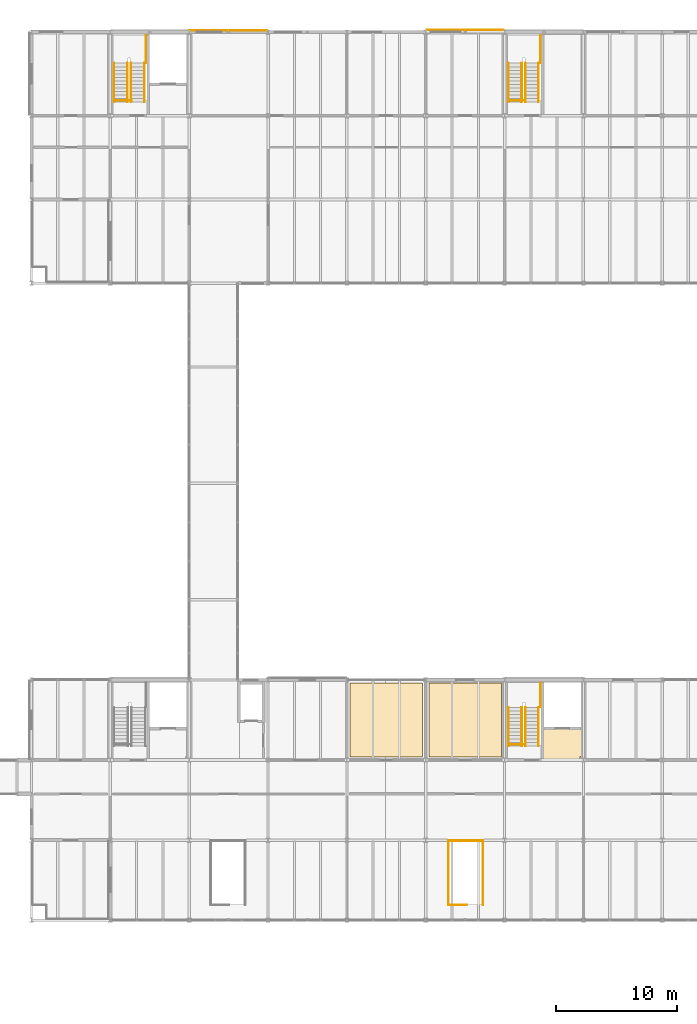
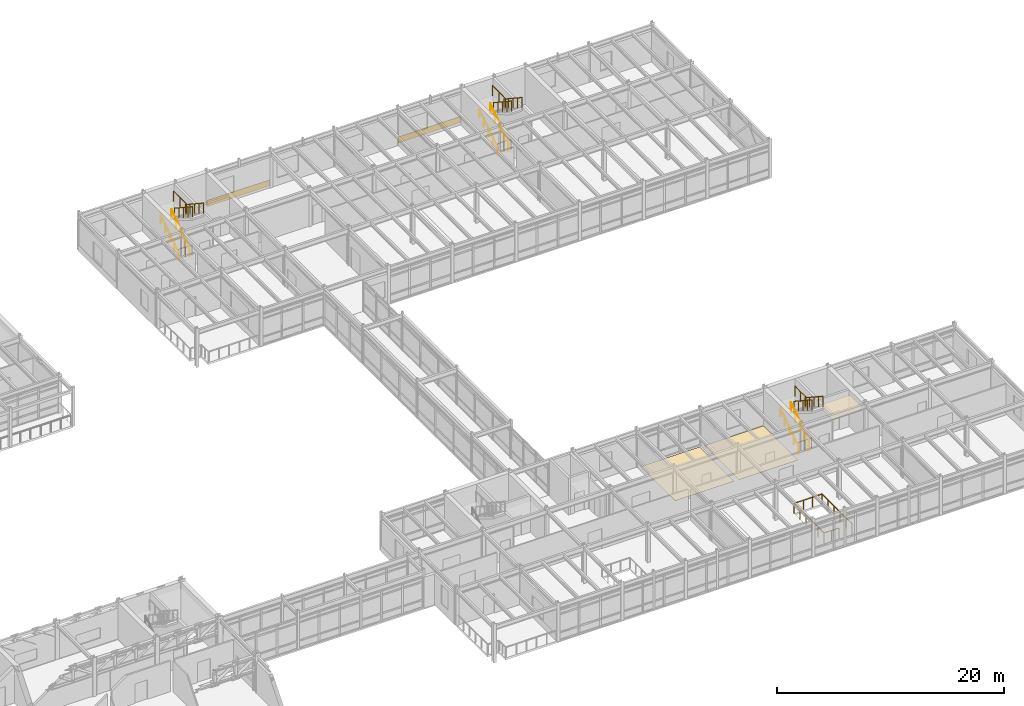
# One storey, part 144 of 144: 22 railings, 5 coverings.
"""IFC4 building model written with IfcOpenShell, lengths in metres."""

from ifc_helpers import new_model, si_unit, direction, frame, origin, origin_2d, place, context, subcontext, project, spatial, polyline, rectangle, circle, outline, extrude, material, layer, layer_set, type_object, element, save


model = new_model("IFC4")

# Units and contexts
model_context = context("Model", 3, precision=1e-05, world=origin(), true_north=direction((0.0, 1.0)))
body_context = subcontext(model_context, "Body", "Model", "MODEL_VIEW")
ifc_project = project(units=[si_unit("LENGTHUNIT", "METRE"), si_unit("AREAUNIT", "SQUARE_METRE"), si_unit("VOLUMEUNIT", "CUBIC_METRE"), si_unit("PLANEANGLEUNIT", "RADIAN"), si_unit("MASSUNIT", "GRAM", prefix="KILO")], contexts=[model_context])

# Site, building, storey
site_placement = place(None, origin())
site = spatial("IfcSite", under=ifc_project, at=site_placement, CompositionType="ELEMENT")
building_placement = place(site_placement, origin())
building = spatial("IfcBuilding", under=site, at=building_placement, Name="Trelmorton Wharf Fire Station", CompositionType="ELEMENT")
storey_placement = place(building_placement, frame((0.0, 0.0, 5.39990234375)))
storey = spatial("IfcBuildingStorey", under=building, at=storey_placement, Name="L01", CompositionType="ELEMENT", Elevation=5.39990234375)

# Coverings
ifc_material_1 = material(Name="Mineral fibre acoustic ceiling")
ifc_layer_1 = layer(ifc_material_1, 0.02001953125)
ifc_layer_set_1 = layer_set([ifc_layer_1], Name="Mineral fibre acoustic ceiling")
covering_type_1 = type_object("IfcCoveringType", Name="CV_CEIL_ACOU", PredefinedType="CEILING", material=ifc_layer_set_1)
covering_1_placement = place(storey_placement, frame((0.0, 0.0, 3.280029296875)))
element("IfcCovering", 1, at=covering_1_placement, inside=storey, type_object=covering_type_1, Name="CV-CLG-024", PredefinedType="CEILING", context=body_context, shape_type="SweptSolid", body=[
    extrude(outline(polyline([(146.159912109375, 21.0400390625), (146.159912109375, 23.56005859375), (149.4599609375, 23.56005859375), (149.4599609375, 21.300048828125), (149.199951171875, 21.300048828125), (149.199951171875, 21.0400390625), (146.159912109375, 21.0400390625)])), origin(), (0.0, 0.0, 1.0), 0.02001953125),
])
ifc_material_2 = material(Name="Architectural terracotta cladding", Category="masonry")
ifc_layer_2 = layer(ifc_material_2, 0.044921875)
ifc_layer_set_2 = layer_set([ifc_layer_2], Name="Architectural terracotta cladding")
covering_type_2 = type_object("IfcCoveringType", Name="CV_CLAD_TER", PredefinedType="CLADDING", material=ifc_layer_set_2)
for number, where, z_axis, x_axis, name in (
    (2, (120.25, 81.135009765625, 0.0302734375), (0.0, 0.0, 1.0), (1.0, 0.0, 0.0), "CV-TER-0039"),
    (3, (139.75, 81.1650390625, 0.0302734375), (0.0, 0.0, 1.0), (1.0, 0.0, 0.0), "CV-TER-0040"),
):
    element("IfcCovering", number, at=place(storey_placement, frame(where, z_axis=z_axis, x_axis=x_axis)), inside=storey, type_object=covering_type_2, Name=name, PredefinedType="CLADDING", context=body_context, shape_type="SweptSolid", body=[
        extrude(rectangle(XDim=6.3701171875, YDim=0.044921875, at=origin_2d()), origin(), (0.0, 0.0, 1.0), 0.659912109375),
    ])
ifc_material_3 = material(Name="Quarry tile wet-area flooring")
ifc_layer_3 = layer(ifc_material_3, 0.02001953125)
ifc_layer_set_3 = layer_set([ifc_layer_3], Name="Quarry tile wet-area flooring")
covering_type_3 = type_object("IfcCoveringType", Name="CV_FLOR_TILE", PredefinedType="FLOORING", material=ifc_layer_set_3)
covering_2_placement = place(storey_placement, origin())
element("IfcCovering", 4, at=covering_2_placement, inside=storey, type_object=covering_type_3, Name="CV-FLR-010", PredefinedType="FLOORING", context=body_context, shape_type="SweptSolid", body=[
    extrude(outline(polyline([(136.25, 21.25), (136.25, 27.35009765625), (130.25, 27.35009765625), (130.25, 21.25), (136.25, 21.25)])), origin(), (0.0, 0.0, 1.0), 0.02001953125),
])
covering_3_placement = place(storey_placement, origin())
element("IfcCovering", 5, at=covering_3_placement, inside=storey, type_object=covering_type_3, Name="CV-FLR-011", PredefinedType="FLOORING", context=body_context, shape_type="SweptSolid", body=[
    extrude(outline(polyline([(142.75, 21.25), (142.75, 27.35009765625), (136.75, 27.35009765625), (136.75, 21.25), (142.75, 21.25)])), origin(), (0.0, 0.0, 1.0), 0.02001953125),
])

# Railings
ifc_material_4 = material(Name="Stainless steel 316 marine grade", Category="steel")
railing_type_1 = type_object("IfcRailingType", Name="RL_HAND_900", PredefinedType="HANDRAIL", material=ifc_material_4)
railing_1_placement = place(storey_placement, frame((143.31005859375, 22.139892578125, 0.0)))
element("IfcRailing", 6, at=railing_1_placement, inside=storey, type_object=railing_type_1, Name="RL-HR1-STR-C4-L01-14", PredefinedType="HANDRAIL", context=body_context, shape_type="SweptSolid", body=[
    extrude(circle(Radius=0.02099609375, at=origin_2d()), frame((0.0, 0.0, 0.87890625), z_axis=(0.0, 0.835261802243, 0.549852454495), x_axis=(-1.0, 0.0, 0.0)), (0.0, 0.0, 1.0), 3.8193359375),
    extrude(circle(Radius=0.02099609375, at=origin_2d()), origin(), (0.0, 0.0, 1.0), 0.85791015625),
    extrude(circle(Radius=0.02099609375, at=origin_2d()), frame((0.0, 0.797607421875, 0.52490234375)), (0.0, 0.0, 1.0), 0.85791015625),
    extrude(circle(Radius=0.02099609375, at=origin_2d()), frame((0.0, 1.59521484375, 1.050048828125)), (0.0, 0.0, 1.0), 0.85791015625),
    extrude(circle(Radius=0.02099609375, at=origin_2d()), frame((0.0, 2.392578125, 1.5751953125)), (0.0, 0.0, 1.0), 0.85791015625),
    extrude(circle(Radius=0.02099609375, at=origin_2d()), frame((0.0, 3.190185546875, 2.10009765625)), (0.0, 0.0, 1.0), 0.85791015625),
])
for number, where, name in (
    (7, (110.81005859375, 75.239990234375, 0.0), "RL-HR1-STR-C7-L01-34"),
    (8, (143.31005859375, 75.239990234375, 0.0), "RL-HR1-STR-C8-L01-38"),
):
    element("IfcRailing", number, at=place(storey_placement, frame(where)), inside=storey, type_object=railing_type_1, Name=name, PredefinedType="HANDRAIL", context=body_context, shape_type="SweptSolid", body=[
        extrude(circle(Radius=0.02099609375, at=origin_2d()), frame((0.0, 0.0, 0.87890625), z_axis=(0.0, 0.835242474824, 0.549881812983), x_axis=(-1.0, 0.0, 0.0)), (0.0, 0.0, 1.0), 3.819091796875),
        extrude(circle(Radius=0.02099609375, at=origin_2d()), origin(), (0.0, 0.0, 1.0), 0.85791015625),
        extrude(circle(Radius=0.02099609375, at=origin_2d()), frame((0.0, 0.79736328125, 0.52490234375)), (0.0, 0.0, 1.0), 0.85791015625),
        extrude(circle(Radius=0.02099609375, at=origin_2d()), frame((0.0, 1.594970703125, 1.050048828125)), (0.0, 0.0, 1.0), 0.85791015625),
        extrude(circle(Radius=0.02099609375, at=origin_2d()), frame((0.0, 2.392578125, 1.5751953125)), (0.0, 0.0, 1.0), 0.85791015625),
        extrude(circle(Radius=0.02099609375, at=origin_2d()), frame((0.0, 3.18994140625, 2.10009765625)), (0.0, 0.0, 1.0), 0.85791015625),
    ])
railing_type_2 = type_object("IfcRailingType", Name="RL_WELL_1100", PredefinedType="BALUSTRADE", material=ifc_material_4)
railing_2_placement = place(storey_placement, frame((143.360107421875, 22.260009765625, 0.0)))
element("IfcRailing", 9, at=railing_2_placement, inside=storey, type_object=railing_type_2, Name="RL-UPWELL-STR-C4-L00-13", PredefinedType="BALUSTRADE", context=body_context, shape_type="SweptSolid", body=[
    extrude(circle(Radius=0.02392578125, at=origin_2d()), frame((0.0, 0.0, 1.09619140625), z_axis=(1.0, 0.0, 0.0), x_axis=(0.0, 1.0, 0.0)), (0.0, 0.0, 1.0), 1.3798828125),
    extrude(circle(Radius=0.02099609375, at=origin_2d()), origin(), (0.0, 0.0, 1.0), 1.072021484375),
    extrude(circle(Radius=0.02099609375, at=origin_2d()), frame((0.68994140625, 0.0, 0.0)), (0.0, 0.0, 1.0), 1.072021484375),
    extrude(circle(Radius=0.02099609375, at=origin_2d()), frame((1.3798828125, 0.0, 0.0)), (0.0, 0.0, 1.0), 1.072021484375),
])
railing_3_placement = place(storey_placement, frame((145.955078125, 27.3349609375, 2.10009765625)))
element("IfcRailing", 10, at=railing_3_placement, inside=storey, type_object=railing_type_2, Name="RL-GW-OUT1-STR-C4-L01-14", PredefinedType="BALUSTRADE", context=body_context, shape_type="SweptSolid", body=[
    extrude(circle(Radius=0.02392578125, at=origin_2d()), frame((0.0, 0.0, 1.09619140625), z_axis=(0.0, -1.0, 0.0), x_axis=(1.0, 0.0, 0.0)), (0.0, 0.0, 1.0), 1.96484375),
    extrude(circle(Radius=0.02099609375, at=origin_2d()), origin(), (0.0, 0.0, 1.0), 1.072021484375),
    extrude(circle(Radius=0.02099609375, at=origin_2d()), frame((0.0, -0.982421875, 0.0)), (0.0, 0.0, 1.0), 1.072021484375),
    extrude(circle(Radius=0.02099609375, at=origin_2d()), frame((0.0, -1.96484375, 0.0)), (0.0, 0.0, 1.0), 1.072021484375),
])
railing_4_placement = place(storey_placement, frame((145.81005859375, 25.330078125, 2.10009765625)))
element("IfcRailing", 11, at=railing_4_placement, inside=storey, type_object=railing_type_2, Name="RL-GW-OUT2-STR-C4-L01-14", PredefinedType="BALUSTRADE", context=body_context, shape_type="SweptSolid", body=[
    extrude(circle(Radius=0.02392578125, at=origin_2d()), frame((0.0, 0.0, 1.09619140625), z_axis=(0.0, -0.835261802243, 0.549852454495), x_axis=(1.0, 0.0, 0.0)), (0.0, 0.0, 1.0), 3.8193359375),
    extrude(circle(Radius=0.02099609375, at=origin_2d()), origin(), (0.0, 0.0, 1.0), 1.072021484375),
    extrude(circle(Radius=0.02099609375, at=origin_2d()), frame((0.0, -0.797607421875, 0.52490234375)), (0.0, 0.0, 1.0), 1.072021484375),
    extrude(circle(Radius=0.02099609375, at=origin_2d()), frame((0.0, -1.59521484375, 1.050048828125)), (0.0, 0.0, 1.0), 1.072021484375),
    extrude(circle(Radius=0.02099609375, at=origin_2d()), frame((0.0, -2.392578125, 1.5751953125)), (0.0, 0.0, 1.0), 1.072021484375),
    extrude(circle(Radius=0.02099609375, at=origin_2d()), frame((0.0, -3.190185546875, 2.10009765625)), (0.0, 0.0, 1.0), 1.072021484375),
])
railing_5_placement = place(storey_placement, frame((144.409912109375, 22.139892578125, 0.0)))
element("IfcRailing", 12, at=railing_5_placement, inside=storey, type_object=railing_type_2, Name="RL-GW-IN1-STR-C4-L01-14", PredefinedType="BALUSTRADE", context=body_context, shape_type="SweptSolid", body=[
    extrude(circle(Radius=0.02392578125, at=origin_2d()), frame((0.0, 0.0, 1.09619140625), z_axis=(0.0, 0.835261802243, 0.549852454495), x_axis=(-1.0, 0.0, 0.0)), (0.0, 0.0, 1.0), 3.8193359375),
    extrude(circle(Radius=0.02099609375, at=origin_2d()), origin(), (0.0, 0.0, 1.0), 1.072021484375),
    extrude(circle(Radius=0.02099609375, at=origin_2d()), frame((0.0, 0.797607421875, 0.52490234375)), (0.0, 0.0, 1.0), 1.072021484375),
    extrude(circle(Radius=0.02099609375, at=origin_2d()), frame((0.0, 1.59521484375, 1.050048828125)), (0.0, 0.0, 1.0), 1.072021484375),
    extrude(circle(Radius=0.02099609375, at=origin_2d()), frame((0.0, 2.392578125, 1.5751953125)), (0.0, 0.0, 1.0), 1.072021484375),
    extrude(circle(Radius=0.02099609375, at=origin_2d()), frame((0.0, 3.190185546875, 2.10009765625)), (0.0, 0.0, 1.0), 1.072021484375),
])
railing_6_placement = place(storey_placement, frame((144.7099609375, 25.330078125, 2.10009765625)))
element("IfcRailing", 13, at=railing_6_placement, inside=storey, type_object=railing_type_2, Name="RL-GW-IN2-STR-C4-L01-14", PredefinedType="BALUSTRADE", context=body_context, shape_type="SweptSolid", body=[
    extrude(circle(Radius=0.02392578125, at=origin_2d()), frame((0.0, 0.0, 1.09619140625), z_axis=(0.0, -0.835261802243, 0.549852454495), x_axis=(1.0, 0.0, 0.0)), (0.0, 0.0, 1.0), 3.8193359375),
    extrude(circle(Radius=0.02099609375, at=origin_2d()), origin(), (0.0, 0.0, 1.0), 1.072021484375),
    extrude(circle(Radius=0.02099609375, at=origin_2d()), frame((0.0, -0.797607421875, 0.52490234375)), (0.0, 0.0, 1.0), 1.072021484375),
    extrude(circle(Radius=0.02099609375, at=origin_2d()), frame((0.0, -1.59521484375, 1.050048828125)), (0.0, 0.0, 1.0), 1.072021484375),
    extrude(circle(Radius=0.02099609375, at=origin_2d()), frame((0.0, -2.392578125, 1.5751953125)), (0.0, 0.0, 1.0), 1.072021484375),
    extrude(circle(Radius=0.02099609375, at=origin_2d()), frame((0.0, -3.190185546875, 2.10009765625)), (0.0, 0.0, 1.0), 1.072021484375),
])
railing_7_placement = place(storey_placement, frame((110.860107421875, 75.360107421875, 0.0)))
element("IfcRailing", 14, at=railing_7_placement, inside=storey, type_object=railing_type_2, Name="RL-UPWELL-STR-C7-L00-33", PredefinedType="BALUSTRADE", context=body_context, shape_type="SweptSolid", body=[
    extrude(circle(Radius=0.02392578125, at=origin_2d()), frame((0.0, 0.0, 1.09619140625), z_axis=(1.0, 0.0, 0.0), x_axis=(0.0, 1.0, 0.0)), (0.0, 0.0, 1.0), 1.3798828125),
    extrude(circle(Radius=0.02099609375, at=origin_2d()), origin(), (0.0, 0.0, 1.0), 1.072021484375),
    extrude(circle(Radius=0.02099609375, at=origin_2d()), frame((0.68994140625, 0.0, 0.0)), (0.0, 0.0, 1.0), 1.072021484375),
    extrude(circle(Radius=0.02099609375, at=origin_2d()), frame((1.3798828125, 0.0, 0.0)), (0.0, 0.0, 1.0), 1.072021484375),
])
railing_8_placement = place(storey_placement, frame((113.455078125, 80.735107421875, 2.10009765625)))
element("IfcRailing", 15, at=railing_8_placement, inside=storey, type_object=railing_type_2, Name="RL-GW-OUT1-STR-C7-L01-34", PredefinedType="BALUSTRADE", context=body_context, shape_type="SweptSolid", body=[
    extrude(circle(Radius=0.02392578125, at=origin_2d()), frame((0.0, 0.0, 1.09619140625), z_axis=(0.0, -1.0, 0.0), x_axis=(1.0, 0.0, 0.0)), (0.0, 0.0, 1.0), 2.26513671875),
    extrude(circle(Radius=0.02099609375, at=origin_2d()), origin(), (0.0, 0.0, 1.0), 1.072021484375),
    extrude(circle(Radius=0.02099609375, at=origin_2d()), frame((0.0, -1.132568359375, 0.0)), (0.0, 0.0, 1.0), 1.072021484375),
    extrude(circle(Radius=0.02099609375, at=origin_2d()), frame((0.0, -2.26513671875, 0.0)), (0.0, 0.0, 1.0), 1.072021484375),
])
railing_9_placement = place(storey_placement, frame((113.31005859375, 78.429931640625, 2.10009765625)))
element("IfcRailing", 16, at=railing_9_placement, inside=storey, type_object=railing_type_2, Name="RL-GW-OUT2-STR-C7-L01-34", PredefinedType="BALUSTRADE", context=body_context, shape_type="SweptSolid", body=[
    extrude(circle(Radius=0.02392578125, at=origin_2d()), frame((0.0, 0.0, 1.09619140625), z_axis=(0.0, -0.835242474824, 0.549881812983), x_axis=(1.0, 0.0, 0.0)), (0.0, 0.0, 1.0), 3.819091796875),
    extrude(circle(Radius=0.02099609375, at=origin_2d()), origin(), (0.0, 0.0, 1.0), 1.072021484375),
    extrude(circle(Radius=0.02099609375, at=origin_2d()), frame((0.0, -0.79736328125, 0.52490234375)), (0.0, 0.0, 1.0), 1.072021484375),
    extrude(circle(Radius=0.02099609375, at=origin_2d()), frame((0.0, -1.594970703125, 1.050048828125)), (0.0, 0.0, 1.0), 1.072021484375),
    extrude(circle(Radius=0.02099609375, at=origin_2d()), frame((0.0, -2.392578125, 1.5751953125)), (0.0, 0.0, 1.0), 1.072021484375),
    extrude(circle(Radius=0.02099609375, at=origin_2d()), frame((0.0, -3.18994140625, 2.10009765625)), (0.0, 0.0, 1.0), 1.072021484375),
])
railing_10_placement = place(storey_placement, frame((111.909912109375, 75.239990234375, 0.0)))
element("IfcRailing", 17, at=railing_10_placement, inside=storey, type_object=railing_type_2, Name="RL-GW-IN1-STR-C7-L01-34", PredefinedType="BALUSTRADE", context=body_context, shape_type="SweptSolid", body=[
    extrude(circle(Radius=0.02392578125, at=origin_2d()), frame((0.0, 0.0, 1.09619140625), z_axis=(0.0, 0.835242474824, 0.549881812983), x_axis=(-1.0, 0.0, 0.0)), (0.0, 0.0, 1.0), 3.819091796875),
    extrude(circle(Radius=0.02099609375, at=origin_2d()), origin(), (0.0, 0.0, 1.0), 1.072021484375),
    extrude(circle(Radius=0.02099609375, at=origin_2d()), frame((0.0, 0.79736328125, 0.52490234375)), (0.0, 0.0, 1.0), 1.072021484375),
    extrude(circle(Radius=0.02099609375, at=origin_2d()), frame((0.0, 1.594970703125, 1.050048828125)), (0.0, 0.0, 1.0), 1.072021484375),
    extrude(circle(Radius=0.02099609375, at=origin_2d()), frame((0.0, 2.392578125, 1.5751953125)), (0.0, 0.0, 1.0), 1.072021484375),
    extrude(circle(Radius=0.02099609375, at=origin_2d()), frame((0.0, 3.18994140625, 2.10009765625)), (0.0, 0.0, 1.0), 1.072021484375),
])
railing_11_placement = place(storey_placement, frame((112.2099609375, 78.429931640625, 2.10009765625)))
element("IfcRailing", 18, at=railing_11_placement, inside=storey, type_object=railing_type_2, Name="RL-GW-IN2-STR-C7-L01-34", PredefinedType="BALUSTRADE", context=body_context, shape_type="SweptSolid", body=[
    extrude(circle(Radius=0.02392578125, at=origin_2d()), frame((0.0, 0.0, 1.09619140625), z_axis=(0.0, -0.835242474824, 0.549881812983), x_axis=(1.0, 0.0, 0.0)), (0.0, 0.0, 1.0), 3.819091796875),
    extrude(circle(Radius=0.02099609375, at=origin_2d()), origin(), (0.0, 0.0, 1.0), 1.072021484375),
    extrude(circle(Radius=0.02099609375, at=origin_2d()), frame((0.0, -0.79736328125, 0.52490234375)), (0.0, 0.0, 1.0), 1.072021484375),
    extrude(circle(Radius=0.02099609375, at=origin_2d()), frame((0.0, -1.594970703125, 1.050048828125)), (0.0, 0.0, 1.0), 1.072021484375),
    extrude(circle(Radius=0.02099609375, at=origin_2d()), frame((0.0, -2.392578125, 1.5751953125)), (0.0, 0.0, 1.0), 1.072021484375),
    extrude(circle(Radius=0.02099609375, at=origin_2d()), frame((0.0, -3.18994140625, 2.10009765625)), (0.0, 0.0, 1.0), 1.072021484375),
])
railing_12_placement = place(storey_placement, frame((143.360107421875, 75.360107421875, 0.0)))
element("IfcRailing", 19, at=railing_12_placement, inside=storey, type_object=railing_type_2, Name="RL-UPWELL-STR-C8-L00-37", PredefinedType="BALUSTRADE", context=body_context, shape_type="SweptSolid", body=[
    extrude(circle(Radius=0.02392578125, at=origin_2d()), frame((0.0, 0.0, 1.09619140625), z_axis=(1.0, 0.0, 0.0), x_axis=(0.0, 1.0, 0.0)), (0.0, 0.0, 1.0), 1.3798828125),
    extrude(circle(Radius=0.02099609375, at=origin_2d()), origin(), (0.0, 0.0, 1.0), 1.072021484375),
    extrude(circle(Radius=0.02099609375, at=origin_2d()), frame((0.68994140625, 0.0, 0.0)), (0.0, 0.0, 1.0), 1.072021484375),
    extrude(circle(Radius=0.02099609375, at=origin_2d()), frame((1.3798828125, 0.0, 0.0)), (0.0, 0.0, 1.0), 1.072021484375),
])
railing_13_placement = place(storey_placement, frame((145.955078125, 80.735107421875, 2.10009765625)))
element("IfcRailing", 20, at=railing_13_placement, inside=storey, type_object=railing_type_2, Name="RL-GW-OUT1-STR-C8-L01-38", PredefinedType="BALUSTRADE", context=body_context, shape_type="SweptSolid", body=[
    extrude(circle(Radius=0.02392578125, at=origin_2d()), frame((0.0, 0.0, 1.09619140625), z_axis=(0.0, -1.0, 0.0), x_axis=(1.0, 0.0, 0.0)), (0.0, 0.0, 1.0), 2.26513671875),
    extrude(circle(Radius=0.02099609375, at=origin_2d()), origin(), (0.0, 0.0, 1.0), 1.072021484375),
    extrude(circle(Radius=0.02099609375, at=origin_2d()), frame((0.0, -1.132568359375, 0.0)), (0.0, 0.0, 1.0), 1.072021484375),
    extrude(circle(Radius=0.02099609375, at=origin_2d()), frame((0.0, -2.26513671875, 0.0)), (0.0, 0.0, 1.0), 1.072021484375),
])
railing_14_placement = place(storey_placement, frame((145.81005859375, 78.429931640625, 2.10009765625)))
element("IfcRailing", 21, at=railing_14_placement, inside=storey, type_object=railing_type_2, Name="RL-GW-OUT2-STR-C8-L01-38", PredefinedType="BALUSTRADE", context=body_context, shape_type="SweptSolid", body=[
    extrude(circle(Radius=0.02392578125, at=origin_2d()), frame((0.0, 0.0, 1.09619140625), z_axis=(0.0, -0.835242474824, 0.549881812983), x_axis=(1.0, 0.0, 0.0)), (0.0, 0.0, 1.0), 3.819091796875),
    extrude(circle(Radius=0.02099609375, at=origin_2d()), origin(), (0.0, 0.0, 1.0), 1.072021484375),
    extrude(circle(Radius=0.02099609375, at=origin_2d()), frame((0.0, -0.79736328125, 0.52490234375)), (0.0, 0.0, 1.0), 1.072021484375),
    extrude(circle(Radius=0.02099609375, at=origin_2d()), frame((0.0, -1.594970703125, 1.050048828125)), (0.0, 0.0, 1.0), 1.072021484375),
    extrude(circle(Radius=0.02099609375, at=origin_2d()), frame((0.0, -2.392578125, 1.5751953125)), (0.0, 0.0, 1.0), 1.072021484375),
    extrude(circle(Radius=0.02099609375, at=origin_2d()), frame((0.0, -3.18994140625, 2.10009765625)), (0.0, 0.0, 1.0), 1.072021484375),
])
railing_15_placement = place(storey_placement, frame((144.409912109375, 75.239990234375, 0.0)))
element("IfcRailing", 22, at=railing_15_placement, inside=storey, type_object=railing_type_2, Name="RL-GW-IN1-STR-C8-L01-38", PredefinedType="BALUSTRADE", context=body_context, shape_type="SweptSolid", body=[
    extrude(circle(Radius=0.02392578125, at=origin_2d()), frame((0.0, 0.0, 1.09619140625), z_axis=(0.0, 0.835242474824, 0.549881812983), x_axis=(-1.0, 0.0, 0.0)), (0.0, 0.0, 1.0), 3.819091796875),
    extrude(circle(Radius=0.02099609375, at=origin_2d()), origin(), (0.0, 0.0, 1.0), 1.072021484375),
    extrude(circle(Radius=0.02099609375, at=origin_2d()), frame((0.0, 0.79736328125, 0.52490234375)), (0.0, 0.0, 1.0), 1.072021484375),
    extrude(circle(Radius=0.02099609375, at=origin_2d()), frame((0.0, 1.594970703125, 1.050048828125)), (0.0, 0.0, 1.0), 1.072021484375),
    extrude(circle(Radius=0.02099609375, at=origin_2d()), frame((0.0, 2.392578125, 1.5751953125)), (0.0, 0.0, 1.0), 1.072021484375),
    extrude(circle(Radius=0.02099609375, at=origin_2d()), frame((0.0, 3.18994140625, 2.10009765625)), (0.0, 0.0, 1.0), 1.072021484375),
])
railing_16_placement = place(storey_placement, frame((144.7099609375, 78.429931640625, 2.10009765625)))
element("IfcRailing", 23, at=railing_16_placement, inside=storey, type_object=railing_type_2, Name="RL-GW-IN2-STR-C8-L01-38", PredefinedType="BALUSTRADE", context=body_context, shape_type="SweptSolid", body=[
    extrude(circle(Radius=0.02392578125, at=origin_2d()), frame((0.0, 0.0, 1.09619140625), z_axis=(0.0, -0.835242474824, 0.549881812983), x_axis=(1.0, 0.0, 0.0)), (0.0, 0.0, 1.0), 3.819091796875),
    extrude(circle(Radius=0.02099609375, at=origin_2d()), origin(), (0.0, 0.0, 1.0), 1.072021484375),
    extrude(circle(Radius=0.02099609375, at=origin_2d()), frame((0.0, -0.79736328125, 0.52490234375)), (0.0, 0.0, 1.0), 1.072021484375),
    extrude(circle(Radius=0.02099609375, at=origin_2d()), frame((0.0, -1.594970703125, 1.050048828125)), (0.0, 0.0, 1.0), 1.072021484375),
    extrude(circle(Radius=0.02099609375, at=origin_2d()), frame((0.0, -2.392578125, 1.5751953125)), (0.0, 0.0, 1.0), 1.072021484375),
    extrude(circle(Radius=0.02099609375, at=origin_2d()), frame((0.0, -3.18994140625, 2.10009765625)), (0.0, 0.0, 1.0), 1.072021484375),
])
railing_17_placement = place(storey_placement, frame((138.3798828125, 9.06005859375, 0.0)))
element("IfcRailing", 24, at=railing_17_placement, inside=storey, type_object=railing_type_2, Name="RL-STS-05-US", PredefinedType="BALUSTRADE", context=body_context, shape_type="SweptSolid", body=[
    extrude(circle(Radius=0.02392578125, at=origin_2d()), frame((0.0, 0.0, 1.09619140625), z_axis=(1.0, 0.0, 0.0), x_axis=(0.0, 1.0, 0.0)), (0.0, 0.0, 1.0), 1.5),
    extrude(circle(Radius=0.02099609375, at=origin_2d()), origin(), (0.0, 0.0, 1.0), 1.072021484375),
    extrude(circle(Radius=0.02099609375, at=origin_2d()), frame((0.75, 0.0, 0.0)), (0.0, 0.0, 1.0), 1.072021484375),
    extrude(circle(Radius=0.02099609375, at=origin_2d()), frame((1.5, 0.0, 0.0)), (0.0, 0.0, 1.0), 1.072021484375),
])
railing_18_placement = place(storey_placement, frame((138.3798828125, 9.06005859375, 0.0)))
element("IfcRailing", 25, at=railing_18_placement, inside=storey, type_object=railing_type_2, Name="RL-STS-05-UW", PredefinedType="BALUSTRADE", context=body_context, shape_type="SweptSolid", body=[
    extrude(circle(Radius=0.02392578125, at=origin_2d()), frame((0.0, 0.0, 1.09619140625), z_axis=(0.0, 1.0, 0.0), x_axis=(-1.0, 0.0, 0.0)), (0.0, 0.0, 1.0), 5.280029296875),
    extrude(circle(Radius=0.02099609375, at=origin_2d()), origin(), (0.0, 0.0, 1.0), 1.072021484375),
    extrude(circle(Radius=0.02099609375, at=origin_2d()), frame((0.0, 1.055908203125, 0.0)), (0.0, 0.0, 1.0), 1.072021484375),
    extrude(circle(Radius=0.02099609375, at=origin_2d()), frame((0.0, 2.112060546875, 0.0)), (0.0, 0.0, 1.0), 1.072021484375),
    extrude(circle(Radius=0.02099609375, at=origin_2d()), frame((0.0, 3.16796875, 0.0)), (0.0, 0.0, 1.0), 1.072021484375),
    extrude(circle(Radius=0.02099609375, at=origin_2d()), frame((0.0, 4.22412109375, 0.0)), (0.0, 0.0, 1.0), 1.072021484375),
    extrude(circle(Radius=0.02099609375, at=origin_2d()), frame((0.0, 5.280029296875, 0.0)), (0.0, 0.0, 1.0), 1.072021484375),
])
railing_19_placement = place(storey_placement, frame((138.3798828125, 14.340087890625, 0.0)))
element("IfcRailing", 26, at=railing_19_placement, inside=storey, type_object=railing_type_2, Name="RL-STS-05-UN", PredefinedType="BALUSTRADE", context=body_context, shape_type="SweptSolid", body=[
    extrude(circle(Radius=0.02392578125, at=origin_2d()), frame((0.0, 0.0, 1.09619140625), z_axis=(1.0, 0.0, 0.0), x_axis=(0.0, 1.0, 0.0)), (0.0, 0.0, 1.0), 2.840087890625),
    extrude(circle(Radius=0.02099609375, at=origin_2d()), origin(), (0.0, 0.0, 1.0), 1.072021484375),
    extrude(circle(Radius=0.02099609375, at=origin_2d()), frame((0.94677734375, 0.0, 0.0)), (0.0, 0.0, 1.0), 1.072021484375),
    extrude(circle(Radius=0.02099609375, at=origin_2d()), frame((1.893310546875, 0.0, 0.0)), (0.0, 0.0, 1.0), 1.072021484375),
    extrude(circle(Radius=0.02099609375, at=origin_2d()), frame((2.840087890625, 0.0, 0.0)), (0.0, 0.0, 1.0), 1.072021484375),
])
railing_20_placement = place(storey_placement, frame((141.219970703125, 9.06005859375, 0.0)))
element("IfcRailing", 27, at=railing_20_placement, inside=storey, type_object=railing_type_2, Name="RL-STS-05-UE", PredefinedType="BALUSTRADE", context=body_context, shape_type="SweptSolid", body=[
    extrude(circle(Radius=0.02392578125, at=origin_2d()), frame((0.0, 0.0, 1.09619140625), z_axis=(0.0, 1.0, 0.0), x_axis=(-1.0, 0.0, 0.0)), (0.0, 0.0, 1.0), 5.280029296875),
    extrude(circle(Radius=0.02099609375, at=origin_2d()), origin(), (0.0, 0.0, 1.0), 1.072021484375),
    extrude(circle(Radius=0.02099609375, at=origin_2d()), frame((0.0, 1.055908203125, 0.0)), (0.0, 0.0, 1.0), 1.072021484375),
    extrude(circle(Radius=0.02099609375, at=origin_2d()), frame((0.0, 2.112060546875, 0.0)), (0.0, 0.0, 1.0), 1.072021484375),
    extrude(circle(Radius=0.02099609375, at=origin_2d()), frame((0.0, 3.16796875, 0.0)), (0.0, 0.0, 1.0), 1.072021484375),
    extrude(circle(Radius=0.02099609375, at=origin_2d()), frame((0.0, 4.22412109375, 0.0)), (0.0, 0.0, 1.0), 1.072021484375),
    extrude(circle(Radius=0.02099609375, at=origin_2d()), frame((0.0, 5.280029296875, 0.0)), (0.0, 0.0, 1.0), 1.072021484375),
])

save(model, "model.ifc")
